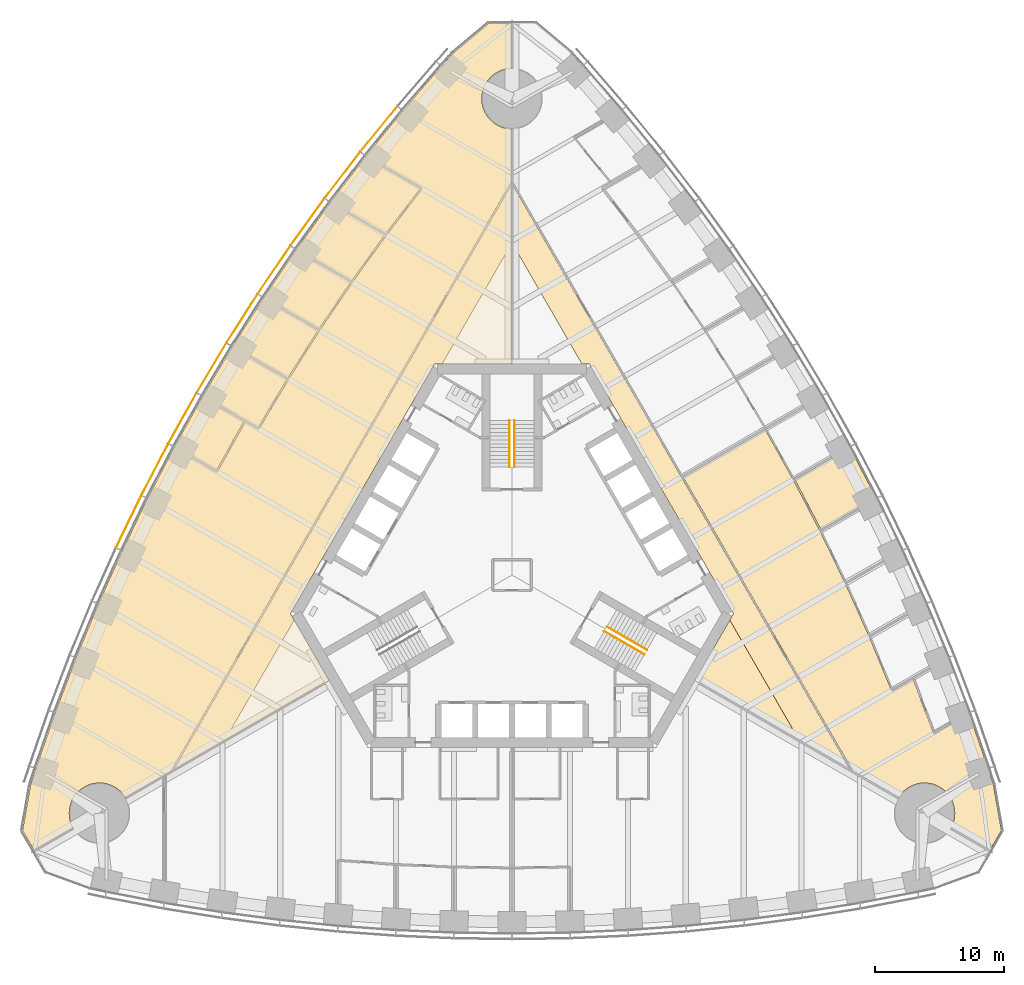
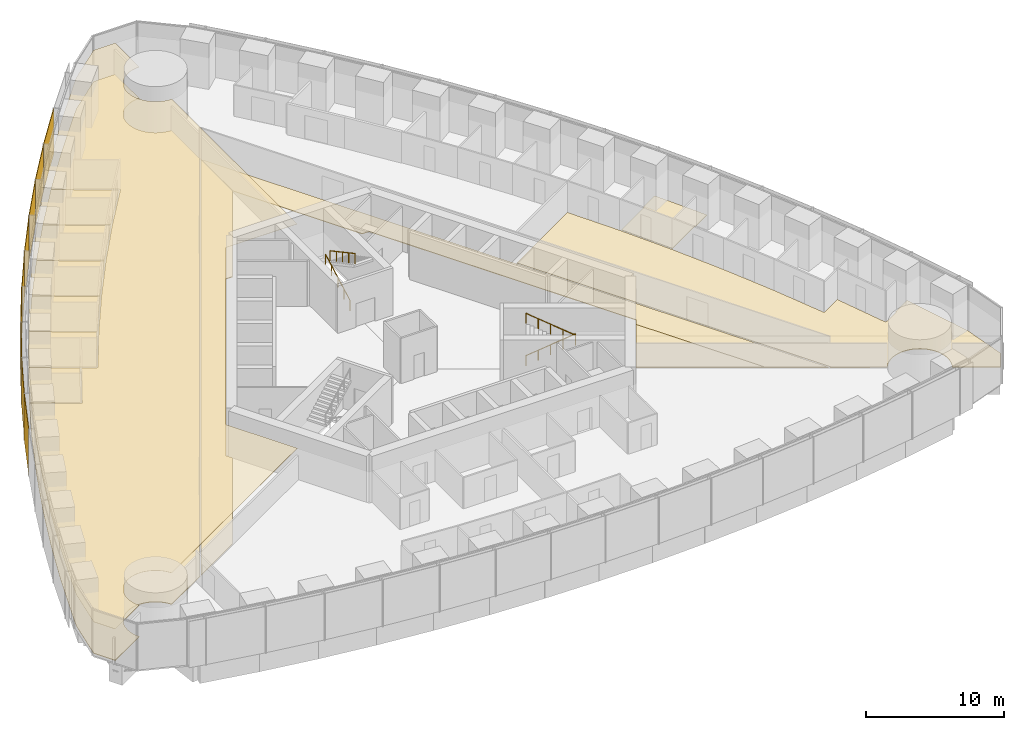
# One storey, part 15 of 18: 13 coverings, 9 shading devices, 4 railings.
"""IFC4 building model written with IfcOpenShell, lengths in metres."""

from ifc_helpers import new_model, si_unit, direction, frame, origin, origin_2d, place, context, subcontext, project, spatial, polyline, rectangle, circle, outline, extrude, material, layer, layer_set, type_object, element, save


model = new_model("IFC4")

# Units and contexts
model_context = context("Model", 3, precision=1e-05, world=origin(), true_north=direction((0.0, 1.0)))
body_context = subcontext(model_context, "Body", "Model", "MODEL_VIEW")
ifc_project = project(units=[si_unit("LENGTHUNIT", "METRE"), si_unit("AREAUNIT", "SQUARE_METRE"), si_unit("VOLUMEUNIT", "CUBIC_METRE"), si_unit("PLANEANGLEUNIT", "RADIAN"), si_unit("MASSUNIT", "GRAM", prefix="KILO")], contexts=[model_context])

# Site, building, storey
site_placement = place(None, origin())
site = spatial("IfcSite", under=ifc_project, at=site_placement, CompositionType="ELEMENT")
building_placement = place(site_placement, origin())
building = spatial("IfcBuilding", under=site, at=building_placement, Name="Trefoil Bronze Tower", CompositionType="ELEMENT")
storey_placement = place(building_placement, frame((0.0, 0.0, 75.300048828125)))
storey = spatial("IfcBuildingStorey", under=building, at=storey_placement, Name="L17", CompositionType="ELEMENT", Elevation=75.300048828125)

# Shading devices
ifc_material_1 = material(Name="Perforated bronze sheet", Category="bronze")
ifc_layer_1 = layer(ifc_material_1, 0.0400390625)
ifc_layer_set_1 = layer_set([ifc_layer_1], Name="Bronze solar screen panel")
shading_device_type = type_object("IfcShadingDeviceType", Name="Bronze solar screen panel", PredefinedType="SHUTTER", material=ifc_layer_set_1)
shading_device_1_placement = place(storey_placement, frame((-10.338623046875, 34.6474609375, 0.0498046875), z_axis=(0.0, 0.0, 1.0), x_axis=(-0.631810729457, -0.775122701346, 0.0)))
element("IfcShadingDevice", 1, at=shading_device_1_placement, inside=storey, type_object=shading_device_type, Name="Solar screen CW-A L17 F3 bay 3", PredefinedType="SHUTTER", context=body_context, shape_type="SweptSolid", body=[
    extrude(rectangle(XDim=4.5283203125, YDim=0.0400390625, at=origin_2d()), origin(), (0.0, 0.0, 1.0), 4.10009765625),
])
shading_device_2_placement = place(storey_placement, frame((-13.170166015625, 31.06787109375, 0.0498046875), z_axis=(0.0, 0.0, 1.0), x_axis=(-0.608807670879, -0.793317855515, 0.0)))
element("IfcShadingDevice", 2, at=shading_device_2_placement, inside=storey, type_object=shading_device_type, Name="Solar screen CW-A L17 F3 bay 4", PredefinedType="SHUTTER", context=body_context, shape_type="SweptSolid", body=[
    extrude(rectangle(XDim=4.5087890625, YDim=0.0400390625, at=origin_2d()), origin(), (0.0, 0.0, 1.0), 4.10009765625),
])
shading_device_3_placement = place(storey_placement, frame((-15.88525390625, 27.421142578125, 0.0498046875), z_axis=(0.0, 0.0, 1.0), x_axis=(-0.585372522213, -0.810764460394, 0.0)))
element("IfcShadingDevice", 3, at=shading_device_3_placement, inside=storey, type_object=shading_device_type, Name="Solar screen CW-A L17 F3 bay 5", PredefinedType="SHUTTER", context=body_context, shape_type="SweptSolid", body=[
    extrude(rectangle(XDim=4.493408203125, YDim=0.0400390625, at=origin_2d()), origin(), (0.0, 0.0, 1.0), 4.10009765625),
])
shading_device_4_placement = place(storey_placement, frame((-18.48486328125, 23.707763671875, 0.0498046875), z_axis=(0.0, 0.0, 1.0), x_axis=(-0.56150968077, -0.827470167681, 0.0)))
element("IfcShadingDevice", 4, at=shading_device_4_placement, inside=storey, type_object=shading_device_type, Name="Solar screen CW-A L17 F3 bay 6", PredefinedType="SHUTTER", context=body_context, shape_type="SweptSolid", body=[
    extrude(rectangle(XDim=4.48193359375, YDim=0.0400390625, at=origin_2d()), origin(), (0.0, 0.0, 1.0), 4.10009765625),
])
shading_device_5_placement = place(storey_placement, frame((-20.97021484375, 19.928466796875, 0.0498046875), z_axis=(0.0, 0.0, 1.0), x_axis=(-0.537222392469, -0.843440632783, 0.0)))
element("IfcShadingDevice", 5, at=shading_device_5_placement, inside=storey, type_object=shading_device_type, Name="Solar screen CW-A L17 F3 bay 7", PredefinedType="SHUTTER", context=body_context, shape_type="SweptSolid", body=[
    extrude(rectangle(XDim=4.474365234375, YDim=0.0400390625, at=origin_2d()), origin(), (0.0, 0.0, 1.0), 4.10009765625),
])
for number, where, z_axis, x_axis, name in (
    (6, (-23.341552734375, 16.083251953125, 0.0498046875), (0.0, 0.0, 1.0), (-0.51251279404, -0.858679588639, 0.0), "Solar screen CW-A L17 F3 bay 8"),
    (7, (-25.599365234375, 12.172607421875, 0.0498046875), (0.0, 0.0, 1.0), (-0.487381940453, -0.873188893722, 0.0), "Solar screen CW-A L17 F3 bay 9"),
):
    element("IfcShadingDevice", number, at=place(storey_placement, frame(where, z_axis=z_axis, x_axis=x_axis)), inside=storey, type_object=shading_device_type, Name=name, PredefinedType="SHUTTER", context=body_context, shape_type="SweptSolid", body=[
        extrude(rectangle(XDim=4.470458984375, YDim=0.0400390625, at=origin_2d()), origin(), (0.0, 0.0, 1.0), 4.10009765625),
    ])
shading_device_6_placement = place(storey_placement, frame((-27.74365234375, 8.1962890625, 0.0498046875), z_axis=(0.0, 0.0, 1.0), x_axis=(-0.46182981834, -0.886968555752, 0.0)))
element("IfcShadingDevice", 8, at=shading_device_6_placement, inside=storey, type_object=shading_device_type, Name="Solar screen CW-A L17 F3 bay 10", PredefinedType="SHUTTER", context=body_context, shape_type="SweptSolid", body=[
    extrude(rectangle(XDim=4.474365234375, YDim=0.0400390625, at=origin_2d()), origin(), (0.0, 0.0, 1.0), 4.10009765625),
])
shading_device_7_placement = place(storey_placement, frame((-29.77392578125, 4.154541015625, 0.0498046875), z_axis=(0.0, 0.0, 1.0), x_axis=(-0.4358553457, -0.900016731858, 0.0)))
element("IfcShadingDevice", 9, at=shading_device_7_placement, inside=storey, type_object=shading_device_type, Name="Solar screen CW-A L17 F3 bay 11", PredefinedType="SHUTTER", context=body_context, shape_type="SweptSolid", body=[
    extrude(rectangle(XDim=4.48193359375, YDim=0.0400390625, at=origin_2d()), origin(), (0.0, 0.0, 1.0), 4.10009765625),
])

# Railings
ifc_material_2 = material(Name="Steel handrail", Category="steel")
railing_type = type_object("IfcRailingType", Name="Handrail 900", PredefinedType="HANDRAIL", material=ifc_material_2)
railing_1_placement = place(storey_placement, frame((7.365966796875, -4.021728515625, 0.161376953125)))
element("IfcRailing", 10, at=railing_1_placement, inside=storey, type_object=railing_type, Name="Handrail ST1 flight 1 L17", PredefinedType="HANDRAIL", context=body_context, shape_type="SweptSolid", body=[
    extrude(circle(Radius=0.02392578125, at=origin_2d()), frame((0.0, 0.0, 0.8759765625), z_axis=(0.76250339821, -0.440245697338, 0.474101564745), x_axis=(0.500012057535, 0.866018442252, 0.0)), (0.0, 0.0, 1.0), 4.088623046875),
    extrude(circle(Radius=0.02099609375, at=origin_2d()), origin(), (0.0, 0.0, 1.0), 0.851806640625),
    extrude(circle(Radius=0.02099609375, at=origin_2d()), frame((0.779296875, -0.449951171875, 0.484619140625)), (0.0, 0.0, 1.0), 0.851806640625),
    extrude(circle(Radius=0.02099609375, at=origin_2d()), frame((1.558837890625, -0.89990234375, 0.96923828125)), (0.0, 0.0, 1.0), 0.851806640625),
    extrude(circle(Radius=0.02099609375, at=origin_2d()), frame((2.33837890625, -1.35009765625, 1.453857421875)), (0.0, 0.0, 1.0), 0.851806640625),
    extrude(circle(Radius=0.02099609375, at=origin_2d()), frame((3.11767578125, -1.800048828125, 1.9384765625)), (0.0, 0.0, 1.0), 0.851806640625),
])
railing_2_placement = place(storey_placement, frame((10.28369140625, -6.168212890625, 2.261474609375)))
element("IfcRailing", 11, at=railing_2_placement, inside=storey, type_object=railing_type, Name="Handrail ST1 flight 2 L17", PredefinedType="HANDRAIL", context=body_context, shape_type="SweptSolid", body=[
    extrude(circle(Radius=0.02392578125, at=origin_2d()), frame((0.0, 0.0, 0.8759765625), z_axis=(-0.76250339821, 0.440245697338, 0.474101564745), x_axis=(-0.500012057535, -0.866018442252, 0.0)), (0.0, 0.0, 1.0), 4.088623046875),
    extrude(circle(Radius=0.02099609375, at=origin_2d()), origin(), (0.0, 0.0, 1.0), 0.851806640625),
    extrude(circle(Radius=0.02099609375, at=origin_2d()), frame((-0.779296875, 0.449951171875, 0.484619140625)), (0.0, 0.0, 1.0), 0.851806640625),
    extrude(circle(Radius=0.02099609375, at=origin_2d()), frame((-1.558837890625, 0.89990234375, 0.96923828125)), (0.0, 0.0, 1.0), 0.851806640625),
    extrude(circle(Radius=0.02099609375, at=origin_2d()), frame((-2.33837890625, 1.35009765625, 1.453857421875)), (0.0, 0.0, 1.0), 0.851806640625),
    extrude(circle(Radius=0.02099609375, at=origin_2d()), frame((-3.11767578125, 1.800048828125, 1.9384765625)), (0.0, 0.0, 1.0), 0.851806640625),
])
railing_3_placement = place(storey_placement, frame((-0.199951171875, 8.389892578125, 0.161376953125)))
element("IfcRailing", 12, at=railing_3_placement, inside=storey, type_object=railing_type, Name="Handrail ST2 flight 1 L17", PredefinedType="HANDRAIL", context=body_context, shape_type="SweptSolid", body=[
    extrude(circle(Radius=0.02392578125, at=origin_2d()), frame((0.0, 0.0, 0.8759765625), z_axis=(0.0, 0.880474934443, 0.474092701714), x_axis=(-1.0, 0.0, 0.0)), (0.0, 0.0, 1.0), 4.0888671875),
    extrude(circle(Radius=0.02099609375, at=origin_2d()), origin(), (0.0, 0.0, 1.0), 0.851806640625),
    extrude(circle(Radius=0.02099609375, at=origin_2d()), frame((0.0, 0.89990234375, 0.484619140625)), (0.0, 0.0, 1.0), 0.851806640625),
    extrude(circle(Radius=0.02099609375, at=origin_2d()), frame((0.0, 1.800048828125, 0.96923828125)), (0.0, 0.0, 1.0), 0.851806640625),
    extrude(circle(Radius=0.02099609375, at=origin_2d()), frame((0.0, 2.7001953125, 1.453857421875)), (0.0, 0.0, 1.0), 0.851806640625),
    extrude(circle(Radius=0.02099609375, at=origin_2d()), frame((0.0, 3.60009765625, 1.9384765625)), (0.0, 0.0, 1.0), 0.851806640625),
])
railing_4_placement = place(storey_placement, frame((0.199951171875, 11.989990234375, 2.261474609375)))
element("IfcRailing", 13, at=railing_4_placement, inside=storey, type_object=railing_type, Name="Handrail ST2 flight 2 L17", PredefinedType="HANDRAIL", context=body_context, shape_type="SweptSolid", body=[
    extrude(circle(Radius=0.02392578125, at=origin_2d()), frame((0.0, 0.0, 0.8759765625), z_axis=(0.0, -0.880474934443, 0.474092701714), x_axis=(1.0, 0.0, 0.0)), (0.0, 0.0, 1.0), 4.0888671875),
    extrude(circle(Radius=0.02099609375, at=origin_2d()), origin(), (0.0, 0.0, 1.0), 0.851806640625),
    extrude(circle(Radius=0.02099609375, at=origin_2d()), frame((0.0, -0.89990234375, 0.484619140625)), (0.0, 0.0, 1.0), 0.851806640625),
    extrude(circle(Radius=0.02099609375, at=origin_2d()), frame((0.0, -1.800048828125, 0.96923828125)), (0.0, 0.0, 1.0), 0.851806640625),
    extrude(circle(Radius=0.02099609375, at=origin_2d()), frame((0.0, -2.7001953125, 1.453857421875)), (0.0, 0.0, 1.0), 0.851806640625),
    extrude(circle(Radius=0.02099609375, at=origin_2d()), frame((0.0, -3.60009765625, 1.9384765625)), (0.0, 0.0, 1.0), 0.851806640625),
])

# Coverings
ifc_material_3 = material(Name="Acoustic ceiling panels", Category="mineral fibre")
ifc_layer_2 = layer(ifc_material_3, 0.02001953125)
ifc_layer_set_2 = layer_set([ifc_layer_2], Name="Office ceiling 20")
covering_type_1 = type_object("IfcCoveringType", Name="Office ceiling 20", PredefinedType="CEILING", material=ifc_layer_set_2)
covering_1_placement = place(storey_placement, frame((0.0, 0.0, 2.89990234375)))
element("IfcCovering", 14, at=covering_1_placement, inside=storey, type_object=covering_type_1, Name="Ceiling L17 Open-plan office F3", PredefinedType="CEILING", context=body_context, shape_type="SweptSolid", body=[
    extrude(outline(polyline([(-36.9814453125, -15.021728515625), (-35.47998046875, -10.6923828125), (-33.860107421875, -6.431640625), (-32.123291015625, -2.23828125), (-30.271240234375, 1.888671875), (-28.3046875, 5.949462890625), (-26.224609375, 9.944580078125), (-24.031005859375, 13.87451171875), (-21.724609375, 17.73876953125), (-19.3046875, 21.537841796875), (-16.771240234375, 25.271484375), (-14.123291015625, 28.938720703125), (-11.360107421875, 32.53955078125), (-8.47998046875, 36.072998046875), (-5.4814453125, 39.537841796875), (-4.618896484375, 40.497314453125), (-1.82421875, 42.84228515625), (-0.01611328125, 42.84228515625), (-0.014892578125, 39.349609375), (-0.115234375, 39.34716796875), (-0.230224609375, 39.338623046875), (-0.3447265625, 39.32470703125), (-0.45849609375, 39.3046875), (-0.571044921875, 39.279541015625), (-0.68212890625, 39.248779296875), (-0.791748046875, 39.212646484375), (-0.8994140625, 39.171142578125), (-1.0048828125, 39.12451171875), (-1.10791015625, 39.072509765625), (-1.2080078125, 39.015625), (-1.3056640625, 38.9541015625), (-1.39990234375, 38.887451171875), (-1.49072265625, 38.816650390625), (-1.578125, 38.7412109375), (-1.66162109375, 38.66162109375), (-1.7412109375, 38.578125), (-1.816650390625, 38.49072265625), (-1.887451171875, 38.39990234375), (-1.9541015625, 38.3056640625), (-2.015625, 38.2080078125), (-2.072509765625, 38.10791015625), (-2.12451171875, 38.0048828125), (-2.171142578125, 37.8994140625), (-2.212646484375, 37.791748046875), (-2.248779296875, 37.68212890625), (-2.279541015625, 37.571044921875), (-2.3046875, 37.45849609375), (-2.32470703125, 37.3447265625), (-2.338623046875, 37.230224609375), (-2.34716796875, 37.115234375), (-2.35009765625, 37.0), (-2.34716796875, 36.884765625), (-2.338623046875, 36.769775390625), (-2.32470703125, 36.6552734375), (-2.3046875, 36.54150390625), (-2.279541015625, 36.428955078125), (-2.248779296875, 36.31787109375), (-2.212646484375, 36.208251953125), (-2.171142578125, 36.1005859375), (-2.12451171875, 35.9951171875), (-2.072509765625, 35.89208984375), (-2.015625, 35.7919921875), (-1.9541015625, 35.6943359375), (-1.887451171875, 35.60009765625), (-1.816650390625, 35.50927734375), (-1.7412109375, 35.421875), (-1.66162109375, 35.33837890625), (-1.578125, 35.2587890625), (-1.49072265625, 35.183349609375), (-1.39990234375, 35.112548828125), (-1.3056640625, 35.0458984375), (-1.2080078125, 34.984375), (-1.10791015625, 34.927490234375), (-1.0048828125, 34.87548828125), (-0.8994140625, 34.828857421875), (-0.791748046875, 34.787353515625), (-0.68212890625, 34.751220703125), (-0.571044921875, 34.720458984375), (-0.45849609375, 34.6953125), (-0.3447265625, 34.67529296875), (-0.230224609375, 34.661376953125), (-0.115234375, 34.65283203125), (-0.012939453125, 34.650390625), (-0.006103515625, 16.39990234375), (-6.00439453125, 16.39990234375), (-17.205078125, -3.0), (-14.205810546875, -8.194580078125), (-30.0146484375, -17.31396484375), (-30.02734375, -17.2919921875), (-30.089111328125, -17.1943359375), (-30.155517578125, -17.10009765625), (-30.226318359375, -17.00927734375), (-30.3017578125, -16.921875), (-30.381103515625, -16.83837890625), (-30.46484375, -16.7587890625), (-30.552001953125, -16.683349609375), (-30.64306640625, -16.612548828125), (-30.7373046875, -16.5458984375), (-30.834716796875, -16.484375), (-30.935302734375, -16.427490234375), (-31.0380859375, -16.37548828125), (-31.1435546875, -16.328857421875), (-31.251220703125, -16.287353515625), (-31.36083984375, -16.251220703125), (-31.471923828125, -16.220458984375), (-31.58447265625, -16.1953125), (-31.697998046875, -16.17529296875), (-31.8125, -16.161376953125), (-31.927490234375, -16.15283203125), (-32.04296875, -16.14990234375), (-32.158203125, -16.15283203125), (-32.273193359375, -16.161376953125), (-32.3876953125, -16.17529296875), (-32.50146484375, -16.1953125), (-32.614013671875, -16.220458984375), (-32.72509765625, -16.251220703125), (-32.834716796875, -16.287353515625), (-32.942138671875, -16.328857421875), (-33.047607421875, -16.37548828125), (-33.150634765625, -16.427490234375), (-33.251220703125, -16.484375), (-33.348388671875, -16.5458984375), (-33.44287109375, -16.612548828125), (-33.53369140625, -16.683349609375), (-33.62109375, -16.7587890625), (-33.70458984375, -16.83837890625), (-33.7841796875, -16.921875), (-33.859619140625, -17.00927734375), (-33.930419921875, -17.10009765625), (-33.996826171875, -17.1943359375), (-34.05859375, -17.2919921875), (-34.115478515625, -17.39208984375), (-34.167236328125, -17.4951171875), (-34.214111328125, -17.6005859375), (-34.255615234375, -17.708251953125), (-34.291748046875, -17.81787109375), (-34.322509765625, -17.928955078125), (-34.347900390625, -18.04150390625), (-34.367431640625, -18.1552734375), (-34.381591796875, -18.269775390625), (-34.39013671875, -18.384765625), (-34.392822265625, -18.5), (-34.39013671875, -18.615234375), (-34.381591796875, -18.730224609375), (-34.367431640625, -18.8447265625), (-34.347900390625, -18.95849609375), (-34.322509765625, -19.071044921875), (-34.291748046875, -19.18212890625), (-34.255615234375, -19.291748046875), (-34.214111328125, -19.3994140625), (-34.167236328125, -19.5048828125), (-34.115478515625, -19.60791015625), (-34.084716796875, -19.661865234375), (-37.110595703125, -21.4072265625), (-38.0146484375, -19.841552734375), (-37.381103515625, -16.248779296875), (-36.9814453125, -15.021728515625)])), origin(), (0.0, 0.0, 1.0), 0.02001953125),
])
ifc_material_4 = material(Name="Raised access floor panels", Category="steel")
ifc_layer_3 = layer(ifc_material_4, 0.050048828125)
ifc_layer_set_3 = layer_set([ifc_layer_3], Name="Raised access floor 150")
covering_type_2 = type_object("IfcCoveringType", Name="Raised access floor 150", PredefinedType="FLOORING", material=ifc_layer_set_3)
covering_2_placement = place(storey_placement, frame((0.0, 0.0, 0.099853515625)))
element("IfcCovering", 15, at=covering_2_placement, inside=storey, type_object=covering_type_2, Name="Raised floor L17 Office F2", PredefinedType="FLOORING", context=body_context, shape_type="SweptSolid", body=[
    extrude(outline(polyline([(26.224609375, 9.944580078125), (28.3046875, 5.949462890625), (26.890869140625, 5.133056640625), (26.86083984375, 5.18505859375), (23.998779296875, 3.53271484375), (21.97412109375, 7.42138671875), (24.84228515625, 9.077392578125), (24.812255859375, 9.12939453125), (26.224609375, 9.944580078125)])), origin(), (0.0, 0.0, 1.0), 0.050048828125),
])
covering_3_placement = place(storey_placement, frame((0.0, 0.0, 0.099853515625)))
element("IfcCovering", 16, at=covering_3_placement, inside=storey, type_object=covering_type_2, Name="Raised floor L17 Corridor F2", PredefinedType="FLOORING", context=body_context, shape_type="SweptSolid", body=[
    extrude(outline(polyline([(26.31591796875, -15.180419921875), (22.333740234375, -12.88330078125), (16.91650390625, -3.5), (17.205078125, -3.0), (6.00439453125, 16.39990234375), (5.427001953125, 16.39990234375), (0.009765625, 25.783203125), (0.011474609375, 30.38037109375), (26.31591796875, -15.180419921875)])), origin(), (0.0, 0.0, 1.0), 0.050048828125),
])
covering_4_placement = place(storey_placement, frame((0.0, 0.0, 0.099853515625)))
element("IfcCovering", 17, at=covering_4_placement, inside=storey, type_object=covering_type_2, Name="Raised floor L17 Open-plan office F2", PredefinedType="FLOORING", context=body_context, shape_type="SweptSolid", body=[
    extrude(outline(polyline([(30.089111328125, -17.1943359375), (30.02734375, -17.2919921875), (30.0146484375, -17.31396484375), (26.40966796875, -15.234375), (26.466552734375, -15.201416015625), (13.304931640625, 7.594970703125), (19.685546875, 11.27880859375), (21.841552734375, 7.416015625), (23.9208984375, 3.422607421875), (25.88671875, -0.63671875), (27.73828125, -4.761962890625), (29.474609375, -8.95458984375), (29.530029296875, -8.931640625), (29.56005859375, -8.983642578125), (31.144287109375, -8.06884765625), (32.7392578125, -12.263916015625), (32.79541015625, -12.242431640625), (32.825439453125, -12.29443359375), (34.07666015625, -11.572021484375), (34.046630859375, -11.52001953125), (35.47998046875, -10.6923828125), (36.9814453125, -15.021728515625), (37.381103515625, -16.248779296875), (38.0146484375, -19.841552734375), (37.110595703125, -21.4072265625), (34.084716796875, -19.661865234375), (34.115478515625, -19.60791015625), (34.167236328125, -19.5048828125), (34.214111328125, -19.3994140625), (34.255615234375, -19.291748046875), (34.291748046875, -19.18212890625), (34.322509765625, -19.071044921875), (34.347900390625, -18.95849609375), (34.367431640625, -18.8447265625), (34.381591796875, -18.730224609375), (34.39013671875, -18.615234375), (34.392822265625, -18.5), (34.39013671875, -18.384765625), (34.381591796875, -18.269775390625), (34.367431640625, -18.1552734375), (34.347900390625, -18.04150390625), (34.322509765625, -17.928955078125), (34.291748046875, -17.81787109375), (34.255615234375, -17.708251953125), (34.214111328125, -17.6005859375), (34.167236328125, -17.4951171875), (34.115478515625, -17.39208984375), (34.05859375, -17.2919921875), (33.996826171875, -17.1943359375), (33.930419921875, -17.10009765625), (33.859619140625, -17.00927734375), (33.7841796875, -16.921875), (33.70458984375, -16.83837890625), (33.62109375, -16.7587890625), (33.53369140625, -16.683349609375), (33.44287109375, -16.612548828125), (33.348388671875, -16.5458984375), (33.251220703125, -16.484375), (33.150634765625, -16.427490234375), (33.047607421875, -16.37548828125), (32.942138671875, -16.328857421875), (32.834716796875, -16.287353515625), (32.72509765625, -16.251220703125), (32.614013671875, -16.220458984375), (32.50146484375, -16.1953125), (32.3876953125, -16.17529296875), (32.273193359375, -16.161376953125), (32.158203125, -16.15283203125), (32.04296875, -16.14990234375), (31.927490234375, -16.15283203125), (31.8125, -16.161376953125), (31.697998046875, -16.17529296875), (31.58447265625, -16.1953125), (31.471923828125, -16.220458984375), (31.36083984375, -16.251220703125), (31.251220703125, -16.287353515625), (31.1435546875, -16.328857421875), (31.0380859375, -16.37548828125), (30.935302734375, -16.427490234375), (30.834716796875, -16.484375), (30.7373046875, -16.5458984375), (30.64306640625, -16.612548828125), (30.552001953125, -16.683349609375), (30.46484375, -16.7587890625), (30.381103515625, -16.83837890625), (30.3017578125, -16.921875), (30.226318359375, -17.00927734375), (30.155517578125, -17.10009765625), (30.089111328125, -17.1943359375)])), origin(), (0.0, 0.0, 1.0), 0.050048828125),
])
covering_5_placement = place(storey_placement, frame((0.0, 0.0, 0.099853515625)))
element("IfcCovering", 18, at=covering_5_placement, inside=storey, type_object=covering_type_2, Name="Raised floor L17 Open-plan office F2", PredefinedType="FLOORING", context=body_context, shape_type="SweptSolid", body=[
    extrude(outline(polyline([(22.333740234375, -12.88330078125), (14.205810546875, -8.194580078125), (16.91650390625, -3.5), (22.333740234375, -12.88330078125)])), origin(), (0.0, 0.0, 1.0), 0.050048828125),
])
covering_6_placement = place(storey_placement, frame((0.0, 0.0, 0.099853515625)))
element("IfcCovering", 19, at=covering_6_placement, inside=storey, type_object=covering_type_2, Name="Raised floor L17 Office F3", PredefinedType="FLOORING", context=body_context, shape_type="SweptSolid", body=[
    extrude(outline(polyline([(-14.123291015625, 28.938720703125), (-11.360107421875, 32.53955078125), (-9.93359375, 31.7158203125), (-9.96337890625, 31.663818359375), (-7.119140625, 30.021728515625), (-9.808837890625, 26.51708984375), (-12.672119140625, 28.170166015625), (-12.7021484375, 28.1181640625), (-14.123291015625, 28.938720703125)])), origin(), (0.0, 0.0, 1.0), 0.050048828125),
])
covering_7_placement = place(storey_placement, frame((0.0, 0.0, 0.099853515625)))
element("IfcCovering", 20, at=covering_7_placement, inside=storey, type_object=covering_type_2, Name="Raised floor L17 Office F3", PredefinedType="FLOORING", context=body_context, shape_type="SweptSolid", body=[
    extrude(outline(polyline([(-14.123291015625, 28.938720703125), (-12.7021484375, 28.1181640625), (-12.732177734375, 28.06640625), (-9.880859375, 26.419921875), (-12.4580078125, 22.850341796875), (-15.32421875, 24.505126953125), (-15.354248046875, 24.453369140625), (-16.771240234375, 25.271484375), (-14.123291015625, 28.938720703125)])), origin(), (0.0, 0.0, 1.0), 0.050048828125),
])
covering_8_placement = place(storey_placement, frame((0.0, 0.0, 0.099853515625)))
element("IfcCovering", 21, at=covering_8_placement, inside=storey, type_object=covering_type_2, Name="Raised floor L17 Office F3", PredefinedType="FLOORING", context=body_context, shape_type="SweptSolid", body=[
    extrude(outline(polyline([(-19.3046875, 21.537841796875), (-16.771240234375, 25.271484375), (-15.354248046875, 24.453369140625), (-15.38427734375, 24.4013671875), (-12.527099609375, 22.751708984375), (-14.992919921875, 19.117919921875), (-17.86083984375, 20.7734375), (-17.890869140625, 20.721435546875), (-19.3046875, 21.537841796875)])), origin(), (0.0, 0.0, 1.0), 0.050048828125),
])
covering_9_placement = place(storey_placement, frame((0.0, 0.0, 0.099853515625)))
element("IfcCovering", 22, at=covering_9_placement, inside=storey, type_object=covering_type_2, Name="Raised floor L17 Meeting room F3", PredefinedType="FLOORING", context=body_context, shape_type="SweptSolid", body=[
    extrude(outline(polyline([(-19.3046875, 21.537841796875), (-17.890869140625, 20.721435546875), (-17.9208984375, 20.669677734375), (-15.058837890625, 19.017333984375), (-17.414306640625, 15.319580078125), (-20.2822265625, 16.975341796875), (-20.312255859375, 16.923583984375), (-21.724609375, 17.73876953125), (-19.3046875, 21.537841796875)])), origin(), (0.0, 0.0, 1.0), 0.050048828125),
])
covering_10_placement = place(storey_placement, frame((0.0, 0.0, 0.099853515625)))
element("IfcCovering", 23, at=covering_10_placement, inside=storey, type_object=covering_type_2, Name="Raised floor L17 Meeting room F3", PredefinedType="FLOORING", context=body_context, shape_type="SweptSolid", body=[
    extrude(outline(polyline([(-24.031005859375, 13.87451171875), (-21.724609375, 17.73876953125), (-20.312255859375, 16.923583984375), (-20.34228515625, 16.87158203125), (-17.47705078125, 15.21728515625), (-19.72216796875, 11.455810546875), (-22.589599609375, 13.111328125), (-22.619384765625, 13.059326171875), (-24.031005859375, 13.87451171875)])), origin(), (0.0, 0.0, 1.0), 0.050048828125),
])
covering_11_placement = place(storey_placement, frame((0.0, 0.0, 0.099853515625)))
element("IfcCovering", 24, at=covering_11_placement, inside=storey, type_object=covering_type_2, Name="Raised floor L17 Pantry F3", PredefinedType="FLOORING", context=body_context, shape_type="SweptSolid", body=[
    extrude(outline(polyline([(-26.224609375, 9.944580078125), (-24.031005859375, 13.87451171875), (-22.619384765625, 13.059326171875), (-22.6494140625, 13.00732421875), (-20.8212890625, 11.951904296875), (-22.956298828125, 8.126953125), (-24.7822265625, 9.18115234375), (-24.812255859375, 9.12939453125), (-26.224609375, 9.944580078125)])), origin(), (0.0, 0.0, 1.0), 0.050048828125),
])
covering_12_placement = place(storey_placement, frame((0.0, 0.0, 0.099853515625)))
element("IfcCovering", 25, at=covering_12_placement, inside=storey, type_object=covering_type_2, Name="Raised floor L17 Corridor F3", PredefinedType="FLOORING", context=body_context, shape_type="SweptSolid", body=[
    extrude(outline(polyline([(-0.011474609375, 30.38037109375), (-0.009765625, 25.783203125), (-5.427001953125, 16.39990234375), (-6.00439453125, 16.39990234375), (-17.205078125, -3.0), (-16.91650390625, -3.5), (-22.333740234375, -12.88330078125), (-26.31591796875, -15.180419921875), (-0.011474609375, 30.38037109375)])), origin(), (0.0, 0.0, 1.0), 0.050048828125),
])
covering_13_placement = place(storey_placement, frame((0.0, 0.0, 0.099853515625)))
element("IfcCovering", 26, at=covering_13_placement, inside=storey, type_object=covering_type_2, Name="Raised floor L17 Open-plan office F3", PredefinedType="FLOORING", context=body_context, shape_type="SweptSolid", body=[
    extrude(outline(polyline([(-28.3046875, 5.949462890625), (-26.224609375, 9.944580078125), (-24.812255859375, 9.12939453125), (-24.84228515625, 9.077392578125), (-22.963623046875, 7.99267578125), (-22.93359375, 8.044677734375), (-22.88134765625, 8.015380859375), (-20.717529296875, 11.89208984375), (-19.73095703125, 11.322509765625), (-19.700927734375, 11.37451171875), (-19.6494140625, 11.343505859375), (-17.34326171875, 15.207275390625), (-14.924560546875, 19.0048828125), (-12.39208984375, 22.73681640625), (-9.7451171875, 26.40283203125), (-6.982421875, 30.0029296875), (-7.030029296875, 30.03955078125), (-7.0, 30.091552734375), (-9.903564453125, 31.767822265625), (-9.93359375, 31.7158203125), (-11.360107421875, 32.53955078125), (-8.47998046875, 36.072998046875), (-5.4814453125, 39.537841796875), (-4.618896484375, 40.497314453125), (-1.82421875, 42.84228515625), (-0.01611328125, 42.84228515625), (-0.014892578125, 39.349609375), (-0.115234375, 39.34716796875), (-0.230224609375, 39.338623046875), (-0.3447265625, 39.32470703125), (-0.45849609375, 39.3046875), (-0.571044921875, 39.279541015625), (-0.68212890625, 39.248779296875), (-0.791748046875, 39.212646484375), (-0.8994140625, 39.171142578125), (-1.0048828125, 39.12451171875), (-1.10791015625, 39.072509765625), (-1.2080078125, 39.015625), (-1.3056640625, 38.9541015625), (-1.39990234375, 38.887451171875), (-1.49072265625, 38.816650390625), (-1.578125, 38.7412109375), (-1.66162109375, 38.66162109375), (-1.7412109375, 38.578125), (-1.816650390625, 38.49072265625), (-1.887451171875, 38.39990234375), (-1.9541015625, 38.3056640625), (-2.015625, 38.2080078125), (-2.072509765625, 38.10791015625), (-2.12451171875, 38.0048828125), (-2.171142578125, 37.8994140625), (-2.212646484375, 37.791748046875), (-2.248779296875, 37.68212890625), (-2.279541015625, 37.571044921875), (-2.3046875, 37.45849609375), (-2.32470703125, 37.3447265625), (-2.338623046875, 37.230224609375), (-2.34716796875, 37.115234375), (-2.35009765625, 37.0), (-2.34716796875, 36.884765625), (-2.338623046875, 36.769775390625), (-2.32470703125, 36.6552734375), (-2.3046875, 36.54150390625), (-2.279541015625, 36.428955078125), (-2.248779296875, 36.31787109375), (-2.212646484375, 36.208251953125), (-2.171142578125, 36.1005859375), (-2.12451171875, 35.9951171875), (-2.072509765625, 35.89208984375), (-2.015625, 35.7919921875), (-1.9541015625, 35.6943359375), (-1.887451171875, 35.60009765625), (-1.816650390625, 35.50927734375), (-1.7412109375, 35.421875), (-1.66162109375, 35.33837890625), (-1.578125, 35.2587890625), (-1.49072265625, 35.183349609375), (-1.39990234375, 35.112548828125), (-1.3056640625, 35.0458984375), (-1.2080078125, 34.984375), (-1.10791015625, 34.927490234375), (-1.0048828125, 34.87548828125), (-0.8994140625, 34.828857421875), (-0.791748046875, 34.787353515625), (-0.68212890625, 34.751220703125), (-0.571044921875, 34.720458984375), (-0.45849609375, 34.6953125), (-0.3447265625, 34.67529296875), (-0.230224609375, 34.661376953125), (-0.115234375, 34.65283203125), (-0.012939453125, 34.650390625), (-0.011474609375, 30.488525390625), (-0.068359375, 30.521484375), (-26.466552734375, -15.201416015625), (-26.40966796875, -15.234375), (-30.0146484375, -17.31396484375), (-30.02734375, -17.2919921875), (-30.089111328125, -17.1943359375), (-30.155517578125, -17.10009765625), (-30.226318359375, -17.00927734375), (-30.3017578125, -16.921875), (-30.381103515625, -16.83837890625), (-30.46484375, -16.7587890625), (-30.552001953125, -16.683349609375), (-30.64306640625, -16.612548828125), (-30.7373046875, -16.5458984375), (-30.834716796875, -16.484375), (-30.935302734375, -16.427490234375), (-31.0380859375, -16.37548828125), (-31.1435546875, -16.328857421875), (-31.251220703125, -16.287353515625), (-31.36083984375, -16.251220703125), (-31.471923828125, -16.220458984375), (-31.58447265625, -16.1953125), (-31.697998046875, -16.17529296875), (-31.8125, -16.161376953125), (-31.927490234375, -16.15283203125), (-32.04296875, -16.14990234375), (-32.158203125, -16.15283203125), (-32.273193359375, -16.161376953125), (-32.3876953125, -16.17529296875), (-32.50146484375, -16.1953125), (-32.614013671875, -16.220458984375), (-32.72509765625, -16.251220703125), (-32.834716796875, -16.287353515625), (-32.942138671875, -16.328857421875), (-33.047607421875, -16.37548828125), (-33.150634765625, -16.427490234375), (-33.251220703125, -16.484375), (-33.348388671875, -16.5458984375), (-33.44287109375, -16.612548828125), (-33.53369140625, -16.683349609375), (-33.62109375, -16.7587890625), (-33.70458984375, -16.83837890625), (-33.7841796875, -16.921875), (-33.859619140625, -17.00927734375), (-33.930419921875, -17.10009765625), (-33.996826171875, -17.1943359375), (-34.05859375, -17.2919921875), (-34.115478515625, -17.39208984375), (-34.167236328125, -17.4951171875), (-34.214111328125, -17.6005859375), (-34.255615234375, -17.708251953125), (-34.291748046875, -17.81787109375), (-34.322509765625, -17.928955078125), (-34.347900390625, -18.04150390625), (-34.367431640625, -18.1552734375), (-34.381591796875, -18.269775390625), (-34.39013671875, -18.384765625), (-34.392822265625, -18.5), (-34.39013671875, -18.615234375), (-34.381591796875, -18.730224609375), (-34.367431640625, -18.8447265625), (-34.347900390625, -18.95849609375), (-34.322509765625, -19.071044921875), (-34.291748046875, -19.18212890625), (-34.255615234375, -19.291748046875), (-34.214111328125, -19.3994140625), (-34.167236328125, -19.5048828125), (-34.115478515625, -19.60791015625), (-34.084716796875, -19.661865234375), (-37.110595703125, -21.4072265625), (-38.0146484375, -19.841552734375), (-37.381103515625, -16.248779296875), (-36.9814453125, -15.021728515625), (-35.47998046875, -10.6923828125), (-33.860107421875, -6.431640625), (-32.123291015625, -2.23828125), (-30.271240234375, 1.888671875), (-28.3046875, 5.949462890625)])), origin(), (0.0, 0.0, 1.0), 0.050048828125),
])

save(model, "model.ifc")
